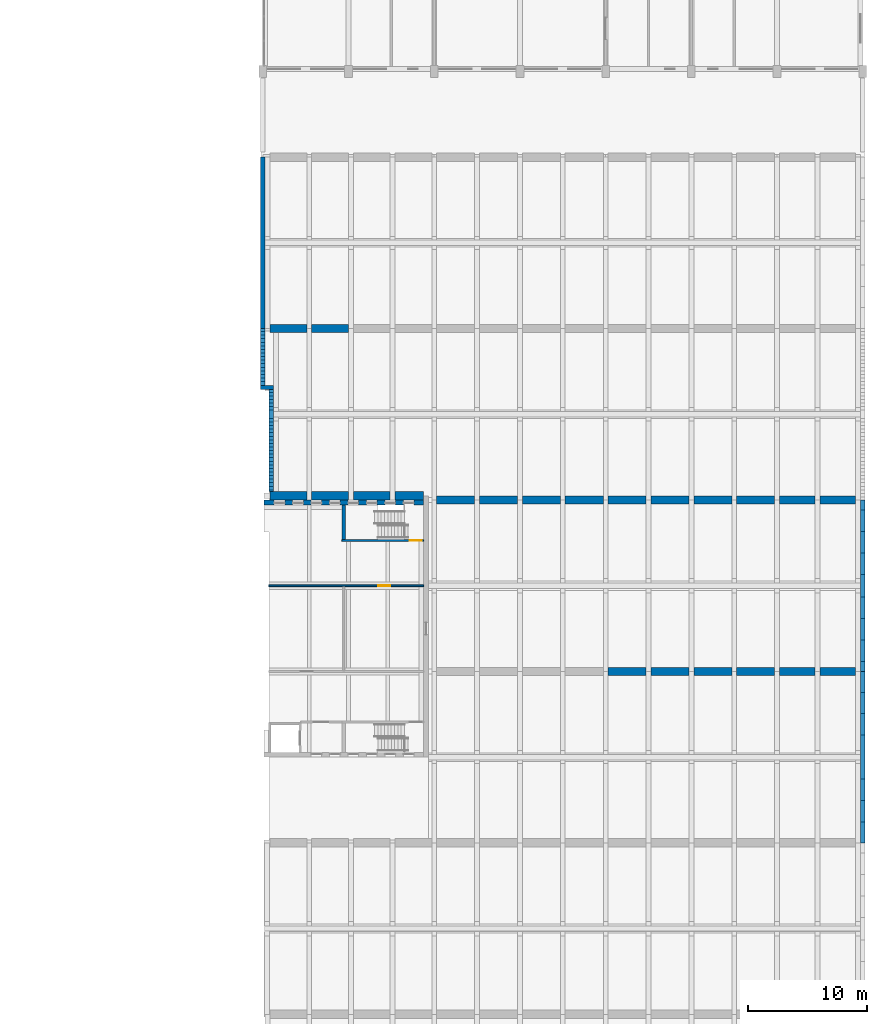
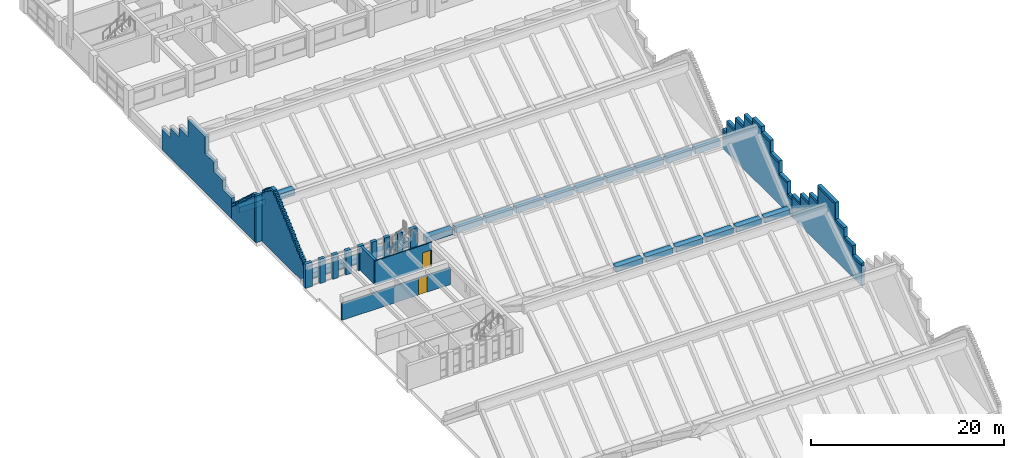
# One storey, part 24 of 31: 44 walls, 2 doors, 2 openings.
"""IFC4 building model written with IfcOpenShell, lengths in metres."""

from ifc_helpers import new_model, si_unit, direction, frame, frame_2d, origin, place, context, subcontext, project, spatial, polyline, rectangle, outline, extrude, material, layer, layer_set, type_object, element, fill, save


model = new_model("IFC4")

# Units and contexts
model_context = context("Model", 3, precision=1e-05, world=origin(), true_north=direction((0.0, 1.0)))
body_context = subcontext(model_context, "Body", "Model", "MODEL_VIEW")
ifc_project = project(units=[si_unit("LENGTHUNIT", "METRE"), si_unit("AREAUNIT", "SQUARE_METRE"), si_unit("VOLUMEUNIT", "CUBIC_METRE"), si_unit("PLANEANGLEUNIT", "RADIAN"), si_unit("MASSUNIT", "GRAM", prefix="KILO")], contexts=[model_context])

# Site, building, storey
site_placement = place(None, origin())
site = spatial("IfcSite", under=ifc_project, at=site_placement, CompositionType="ELEMENT")
building_placement = place(site_placement, origin())
building = spatial("IfcBuilding", under=site, at=building_placement, Name="Vermilion Court Aquatics Centre", CompositionType="ELEMENT")
storey_placement = place(building_placement, frame((0.0, 0.0, 16.5)))
storey = spatial("IfcBuildingStorey", under=building, at=storey_placement, Name="L03", CompositionType="ELEMENT", Elevation=16.5)

# Wall, opening, door
ifc_material_1 = material(Name="Concrete masonry ASTM C90 Type I", Category="masonry")
ifc_layer_1 = layer(ifc_material_1, 0.14990234375)
ifc_layer_set_1 = layer_set([ifc_layer_1], Name="Diving Tower partition 150")
wall_type_1 = type_object("IfcWallType", Name="Diving Tower partition 150", PredefinedType="PARTITIONING", material=ifc_layer_set_1)
wall_1_placement = place(storey_placement, frame((144.5, 50.39990234375, 0.0), z_axis=(0.0, 0.0, 1.0), x_axis=(1.0, 0.0, 0.0)))
wall_1 = element("IfcWall", 1, at=wall_1_placement, inside=storey, type_object=wall_type_1, Name="Diving Tower partition y50.4 L03", PredefinedType="PARTITIONING", context=body_context, shape_type="SweptSolid", body=[
    extrude(rectangle(XDim=13.0, YDim=0.14990234375, at=frame_2d((6.5, 0.0))), origin(), (0.0, 0.0, 1.0), 2.14990234375),
])
opening_1_placement = place(wall_1_placement, frame((9.199951171875, 0.0, 0.0)))
opening_1 = element("IfcOpeningElement", 2, at=opening_1_placement, cuts=wall_1, Name="Opening U03-027", PredefinedType="OPENING", context=body_context, shape_type="SweptSolid", body=[
    extrude(rectangle(XDim=1.0, YDim=2.10009765625, at=frame_2d((0.5, 1.050048828125))), frame((0.0, 0.0849609375, 0.0), z_axis=(0.0, -1.0, 0.0), x_axis=(1.0, 0.0, 0.0)), (0.0, 0.0, 1.0), 0.169921875),
])
ifc_material_2 = material(Name="Timber door leaf", Category="wood")
door_type_1 = type_object("IfcDoorType", Name="Diving Tower room door FD20 1000x2100", OperationType="SINGLE_SWING_LEFT", PredefinedType="DOOR", material=ifc_material_2)
door_1_placement = place(opening_1_placement, frame((1.0, 0.0, 0.0), z_axis=(0.0, 0.0, 1.0), x_axis=(-1.0, 0.0, 0.0)))
door_1 = element("IfcDoor", 3, at=door_1_placement, inside=storey, type_object=door_type_1, Name="Dive Medical Room door L03", OperationType="SINGLE_SWING_LEFT", OverallHeight=2.10009765625, OverallWidth=1.0, PredefinedType="DOOR", context=body_context, shape_type="SweptSolid", body=[
    extrude(rectangle(XDim=1.0, YDim=2.10009765625, at=frame_2d((0.5, 1.050048828125))), frame((0.0, 0.025146484375, 0.0), z_axis=(0.0, -1.0, 0.0), x_axis=(1.0, 0.0, 0.0)), (0.0, 0.0, 1.0), 0.050048828125),
])
fill(opening_1, door_1)

# Walls
ifc_material_3 = material(Name="Brick masonry", Category="masonry")
ifc_layer_2 = layer(ifc_material_3, 0.39990234375)
ifc_layer_set_2 = layer_set([ifc_layer_2], Name="Diving Tower slot pier wall 400")
wall_type_2 = type_object("IfcWallType", Name="Diving Tower slot pier wall 400", PredefinedType="SOLIDWALL", material=ifc_layer_set_2)
wall_2_placement = place(storey_placement, frame((144.110107421875, 57.39990234375, 0.0), z_axis=(0.0, 0.0, 1.0), x_axis=(1.0, 0.0, 0.0)))
element("IfcWall", 4, at=wall_2_placement, inside=storey, type_object=wall_type_2, Name="Diving Tower slot pier N1 L03", PredefinedType="SOLIDWALL", context=body_context, shape_type="SweptSolid", body=[
    extrude(rectangle(XDim=0.83984375, YDim=0.39990234375, at=frame_2d((0.419921875, 0.0))), origin(), (0.0, 0.0, 1.0), 3.050048828125),
])
wall_3_placement = place(storey_placement, frame((145.85009765625, 57.39990234375, 0.0), z_axis=(0.0, 0.0, 1.0), x_axis=(1.0, 0.0, 0.0)))
element("IfcWall", 5, at=wall_3_placement, inside=storey, type_object=wall_type_2, Name="Diving Tower slot pier N2 L03", PredefinedType="SOLIDWALL", context=body_context, shape_type="SweptSolid", body=[
    extrude(rectangle(XDim=0.64990234375, YDim=0.39990234375, at=frame_2d((0.324951171875, 0.0))), origin(), (0.0, 0.0, 1.0), 3.050048828125),
])
for number, where, z_axis, x_axis, name in (
    (6, (147.39990234375, 57.39990234375, 0.0), (0.0, 0.0, 1.0), (1.0, 0.0, 0.0), "Diving Tower slot pier N3 L03"),
    (7, (148.949951171875, 57.39990234375, 0.0), (0.0, 0.0, 1.0), (1.0, 0.0, 0.0), "Diving Tower slot pier N4 L03"),
):
    element("IfcWall", number, at=place(storey_placement, frame(where, z_axis=z_axis, x_axis=x_axis)), inside=storey, type_object=wall_type_2, Name=name, PredefinedType="SOLIDWALL", context=body_context, shape_type="SweptSolid", body=[
        extrude(rectangle(XDim=0.650146484375, YDim=0.39990234375, at=frame_2d((0.3251953125, 0.0))), origin(), (0.0, 0.0, 1.0), 3.050048828125),
    ])
for number, where, z_axis, x_axis, name in (
    (8, (150.5, 57.39990234375, 0.0), (0.0, 0.0, 1.0), (1.0, 0.0, 0.0), "Diving Tower slot pier N5 L03"),
    (9, (152.050048828125, 57.39990234375, 0.0), (0.0, 0.0, 1.0), (1.0, 0.0, 0.0), "Diving Tower slot pier N6 L03"),
    (10, (153.60009765625, 57.39990234375, 0.0), (0.0, 0.0, 1.0), (1.0, 0.0, 0.0), "Diving Tower slot pier N7 L03"),
):
    element("IfcWall", number, at=place(storey_placement, frame(where, z_axis=z_axis, x_axis=x_axis)), inside=storey, type_object=wall_type_2, Name=name, PredefinedType="SOLIDWALL", context=body_context, shape_type="SweptSolid", body=[
        extrude(rectangle(XDim=0.64990234375, YDim=0.39990234375, at=frame_2d((0.324951171875, 0.0))), origin(), (0.0, 0.0, 1.0), 3.050048828125),
    ])
wall_4_placement = place(storey_placement, frame((155.14990234375, 57.39990234375, 0.0), z_axis=(0.0, 0.0, 1.0), x_axis=(1.0, 0.0, 0.0)))
element("IfcWall", 11, at=wall_4_placement, inside=storey, type_object=wall_type_2, Name="Diving Tower slot pier N8 L03", PredefinedType="SOLIDWALL", context=body_context, shape_type="SweptSolid", body=[
    extrude(rectangle(XDim=0.650146484375, YDim=0.39990234375, at=frame_2d((0.3251953125, 0.0))), origin(), (0.0, 0.0, 1.0), 3.050048828125),
])
wall_5_placement = place(storey_placement, frame((156.699951171875, 57.39990234375, 0.0), z_axis=(0.0, 0.0, 1.0), x_axis=(1.0, 0.0, 0.0)))
element("IfcWall", 12, at=wall_5_placement, inside=storey, type_object=wall_type_2, Name="Diving Tower slot pier N9 L03", PredefinedType="SOLIDWALL", context=body_context, shape_type="SweptSolid", body=[
    extrude(rectangle(XDim=0.800048828125, YDim=0.39990234375, at=frame_2d((0.39990234375, 0.0))), origin(), (0.0, 0.0, 1.0), 3.050048828125),
])

# Wall, opening, door
ifc_material_4 = material(Name="Concrete 5000 psi", Category="concrete")
ifc_layer_3 = layer(ifc_material_4, 0.14990234375)
ifc_layer_set_3 = layer_set([ifc_layer_3], Name="Diving Tower stair lane wall 150")
wall_type_3 = type_object("IfcWallType", Name="Diving Tower stair lane wall 150", PredefinedType="SHEAR", material=ifc_layer_set_3)
wall_6_placement = place(storey_placement, frame((150.64990234375, 54.199951171875, 0.0), z_axis=(0.0, 0.0, 1.0), x_axis=(1.0, 0.0, 0.0)))
wall_6 = element("IfcWall", 13, at=wall_6_placement, inside=storey, type_object=wall_type_3, Name="Diving Tower stair 2 lane wall L03", PredefinedType="SHEAR", context=body_context, shape_type="SweptSolid", body=[
    extrude(rectangle(XDim=6.85009765625, YDim=0.14990234375, at=frame_2d((3.425048828125, 0.0))), origin(), (0.0, 0.0, 1.0), 3.050048828125),
])
opening_2_placement = place(wall_6_placement, frame((5.699951171875, 0.0, 0.0)))
opening_2 = element("IfcOpeningElement", 14, at=opening_2_placement, cuts=wall_6, Name="Opening U03-024", PredefinedType="OPENING", context=body_context, shape_type="SweptSolid", body=[
    extrude(rectangle(XDim=1.0, YDim=2.10009765625, at=frame_2d((0.5, 1.050048828125))), frame((0.0, 0.0849609375, 0.0), z_axis=(0.0, -1.0, 0.0), x_axis=(1.0, 0.0, 0.0)), (0.0, 0.0, 1.0), 0.169921875),
])
ifc_material_5 = material(Name="Hollow metal")
door_type_2 = type_object("IfcDoorType", Name="Diving Tower stair door FD90 1000x2100", OperationType="NOTDEFINED", PredefinedType="DOOR", material=ifc_material_5)
door_2_placement = place(opening_2_placement, origin())
door_2 = element("IfcDoor", 15, at=door_2_placement, inside=storey, type_object=door_type_2, Name="Diving Stair 2 door L03", OperationType="SINGLE_SWING_RIGHT", OverallHeight=2.10009765625, OverallWidth=1.0, PredefinedType="DOOR", context=body_context, shape_type="SweptSolid", body=[
    extrude(rectangle(XDim=1.0, YDim=2.10009765625, at=frame_2d((0.5, 1.050048828125))), frame((0.0, 0.02490234375, 0.0), z_axis=(0.0, -1.0, 0.0), x_axis=(1.0, 0.0, 0.0)), (0.0, 0.0, 1.0), 0.050048828125),
])
fill(opening_2, door_2)

# Walls
ifc_material_6 = material(Name="Concrete 8000 psi", Category="concrete")
ifc_layer_4 = layer(ifc_material_6, 0.300048828125)
ifc_layer_set_4 = layer_set([ifc_layer_4], Name="Diving Tower stair wall 300")
wall_type_4 = type_object("IfcWallType", Name="Diving Tower stair wall 300", PredefinedType="SHEAR", material=ifc_layer_set_4)
wall_7_placement = place(storey_placement, frame((150.800048828125, 54.27490234375, 0.0), z_axis=(0.0, 0.0, 1.0), x_axis=(0.0, 1.0, 0.0)))
element("IfcWall", 16, at=wall_7_placement, inside=storey, type_object=wall_type_4, Name="Diving Tower stair 2 west wall L03", PredefinedType="SHEAR", context=body_context, shape_type="SweptSolid", body=[
    extrude(rectangle(XDim=2.925048828125, YDim=0.300048828125, at=frame_2d((1.46240234375, 0.0))), origin(), (0.0, 0.0, 1.0), 3.050048828125),
])
ifc_material_7 = material(Name="Brick masonry", Category="masonry")
ifc_layer_5 = layer(ifc_material_7, 0.39990234375)
ifc_layer_set_5 = layer_set([ifc_layer_5], Name="Podium bell gable wall 400")
wall_type_5 = type_object("IfcWallType", Name="Podium bell gable wall 400", PredefinedType="SOLIDWALL", material=ifc_layer_set_5)
wall_8_placement = place(storey_placement, frame((144.699951171875, 58.300048828125, 0.0), z_axis=(0.0, 0.0, 1.0), x_axis=(0.0, 1.0, 0.0)))
element("IfcWall", 17, at=wall_8_placement, inside=storey, type_object=wall_type_5, Name="Bell gable wall", PredefinedType="SOLIDWALL", context=body_context, shape_type="SweptSolid", body=[
    extrude(outline(polyline([(0.0, 0.0), (8.599853515625, 0.0), (8.60009765625, 6.14990234375), (8.300048828125, 6.14990234375), (8.300048828125, 6.375), (8.0, 6.375), (8.0, 6.675048828125), (7.699951171875, 6.675048828125), (7.699951171875, 6.89990234375), (7.39990234375, 6.89990234375), (7.39990234375, 7.125), (7.10009765625, 7.125), (7.10009765625, 7.35009765625), (6.800048828125, 7.35009765625), (6.800048828125, 7.574951171875), (6.5, 7.574951171875), (6.5, 7.574951171875), (6.199951171875, 7.574951171875), (6.199951171875, 7.35009765625), (5.89990234375, 7.35009765625), (5.89990234375, 7.125), (5.60009765625, 7.125), (5.60009765625, 6.89990234375), (5.300048828125, 6.89990234375), (5.300048828125, 6.675048828125), (5.0, 6.675048828125), (5.0, 6.375), (4.699951171875, 6.375), (4.699951171875, 6.14990234375), (4.39990234375, 6.14990234375), (4.39990234375, 5.925048828125), (4.10009765625, 5.925048828125), (4.10009765625, 5.625), (3.800048828125, 5.625), (3.800048828125, 5.39990234375), (3.5, 5.39990234375), (3.5, 5.10009765625), (3.199951171875, 5.10009765625), (3.199951171875, 4.800048828125), (2.89990234375, 4.800048828125), (2.89990234375, 4.574951171875), (2.60009765625, 4.574951171875), (2.60009765625, 4.27490234375), (2.300048828125, 4.27490234375), (2.300048828125, 3.97509765625), (2.0, 3.97509765625), (2.0, 3.75), (1.699951171875, 3.75), (1.699951171875, 3.449951171875), (1.39990234375, 3.449951171875), (1.39990234375, 3.14990234375), (1.10009765625, 3.14990234375), (1.10009765625, 2.925048828125), (0.800048828125, 2.925048828125), (0.800048828125, 2.625), (0.5, 2.625), (0.5, 2.39990234375), (0.199951171875, 2.39990234375), (0.199951171875, 2.10009765625), (0.0, 2.10009765625), (0.0, 0.0)])), frame((0.0, 0.199951171875, 0.0), z_axis=(0.0, -1.0, 0.0), x_axis=(1.0, 0.0, 0.0)), (0.0, 0.0, 1.0), 0.39990234375),
])
wall_9_placement = place(storey_placement, frame((143.800048828125, 67.050048828125, 0.0), z_axis=(0.0, 0.0, 1.0), x_axis=(1.0, 0.0, 0.0)))
element("IfcWall", 18, at=wall_9_placement, inside=storey, type_object=wall_type_5, Name="Bell gable wall", PredefinedType="SOLIDWALL", context=body_context, shape_type="SweptSolid", body=[
    extrude(rectangle(XDim=1.099853515625, YDim=0.300048828125, at=frame_2d((0.5498046875, 0.0))), origin(), (0.0, 0.0, 1.0), 5.925048828125),
])
wall_10_placement = place(storey_placement, frame((144.0, 67.199951171875, 0.0), z_axis=(0.0, 0.0, 1.0), x_axis=(0.0, 1.0, 0.0)))
element("IfcWall", 19, at=wall_10_placement, inside=storey, type_object=wall_type_5, Name="Bell gable wall", PredefinedType="SOLIDWALL", context=body_context, shape_type="SweptSolid", body=[
    extrude(outline(polyline([(0.0, 0.0), (4.800048828125, 0.0), (4.800048828125, 1.64990234375), (4.5, 1.64990234375), (4.5, 1.875), (4.199951171875, 1.875), (4.199951171875, 2.10009765625), (3.89990234375, 2.10009765625), (3.89990234375, 2.39990234375), (3.60009765625, 2.39990234375), (3.60009765625, 2.625), (3.300048828125, 2.625), (3.300048828125, 2.925048828125), (3.0, 2.925048828125), (3.0, 3.14990234375), (2.699951171875, 3.14990234375), (2.699951171875, 3.449951171875), (2.39990234375, 3.449951171875), (2.39990234375, 3.75), (2.10009765625, 3.75), (2.10009765625, 3.97509765625), (1.800048828125, 3.97509765625), (1.800048828125, 4.27490234375), (1.5, 4.27490234375), (1.5, 4.574951171875), (1.199951171875, 4.574951171875), (1.199951171875, 4.800048828125), (0.89990234375, 4.800048828125), (0.89990234375, 5.10009765625), (0.60009765625, 5.10009765625), (0.60009765625, 5.39990234375), (0.300048828125, 5.39990234375), (0.300048828125, 5.625), (0.0, 5.625), (0.0, 0.0)])), frame((0.0, 0.199951171875, 0.0), z_axis=(0.0, -1.0, 0.0), x_axis=(1.0, 0.0, 0.0)), (0.0, 0.0, 1.0), 0.39990234375),
])
ifc_material_8 = material(Name="Brick masonry", Category="masonry")
ifc_layer_6 = layer(ifc_material_8, 0.39990234375)
ifc_layer_set_6 = layer_set([ifc_layer_6], Name="Podium crow-stepped gable wall 400")
wall_type_6 = type_object("IfcWallType", Name="Podium crow-stepped gable wall 400", PredefinedType="SOLIDWALL", material=ifc_layer_set_6)
wall_11_placement = place(storey_placement, frame((194.39990234375, 43.199951171875, 0.0), z_axis=(0.0, 0.0, 1.0), x_axis=(0.0, 1.0, 0.0)))
element("IfcWall", 20, at=wall_11_placement, inside=storey, type_object=wall_type_6, Name="Crow-stepped gable wall", PredefinedType="SOLIDWALL", context=body_context, shape_type="SweptSolid", body=[
    extrude(outline(polyline([(0.0, 0.0), (14.400146484375, 0.0), (14.39990234375, 2.140625), (13.5, 2.140625), (13.5, 3.651123046875), (11.699951171875, 3.651123046875), (11.699951171875, 5.16162109375), (9.89990234375, 5.16162109375), (9.89990234375, 6.671875), (8.10009765625, 6.671875), (8.10009765625, 7.32861328125), (7.199951171875, 7.32861328125), (7.199951171875, 7.32861328125), (6.300048828125, 7.32861328125), (6.300048828125, 6.671875), (4.5, 6.671875), (4.5, 5.16162109375), (2.699951171875, 5.16162109375), (2.699951171875, 3.651123046875), (0.89990234375, 3.651123046875), (0.89990234375, 2.140625), (0.0, 2.140625), (0.0, 0.0)])), frame((0.0, 0.199951171875, 0.0), z_axis=(0.0, -1.0, 0.0), x_axis=(1.0, 0.0, 0.0)), (0.0, 0.0, 1.0), 0.39990234375),
])
ifc_material_9 = material(Name="Brick masonry", Category="masonry")
ifc_layer_7 = layer(ifc_material_9, 0.39990234375)
ifc_layer_set_7 = layer_set([ifc_layer_7], Name="Podium raised-centre gable wall 400")
wall_type_7 = type_object("IfcWallType", Name="Podium raised-centre gable wall 400", PredefinedType="SOLIDWALL", material=ifc_layer_set_7)
for number, where, z_axis, x_axis, name in (
    (21, (194.39990234375, 28.800048828125, 0.0), (0.0, 0.0, 1.0), (0.0, 1.0, 0.0), "Raised-centre gable wall"),
    (22, (144.0, 72.0, 0.0), (0.0, 0.0, 1.0), (0.0, 1.0, 0.0), "Raised-centre gable wall"),
):
    element("IfcWall", number, at=place(storey_placement, frame(where, z_axis=z_axis, x_axis=x_axis)), inside=storey, type_object=wall_type_7, Name=name, PredefinedType="SOLIDWALL", context=body_context, shape_type="SweptSolid", body=[
        extrude(outline(polyline([(0.0, 0.0), (14.39990234375, 0.0), (14.39990234375, 2.56982421875), (12.60009765625, 2.56982421875), (12.60009765625, 3.73876953125), (10.800048828125, 3.73876953125), (10.800048828125, 4.90771484375), (9.0, 4.90771484375), (9.0, 7.01708984375), (7.199951171875, 7.01708984375), (7.199951171875, 7.01708984375), (5.39990234375, 7.01708984375), (5.39990234375, 4.90771484375), (3.60009765625, 4.90771484375), (3.60009765625, 3.73876953125), (1.800048828125, 3.73876953125), (1.800048828125, 2.56982421875), (0.0, 2.56982421875), (0.0, 0.0)])), frame((0.0, 0.199951171875, 0.0), z_axis=(0.0, -1.0, 0.0), x_axis=(1.0, 0.0, 0.0)), (0.0, 0.0, 1.0), 0.39990234375),
    ])
ifc_material_10 = material(Name="Terracotta cladding", Category="masonry")
ifc_layer_8 = layer(ifc_material_10, 0.39990234375)
ifc_layer_set_8 = layer_set([ifc_layer_8], Name="Podium terracotta gable coping 400")
wall_type_8 = type_object("IfcWallType", Name="Podium terracotta gable coping 400", PredefinedType="PARAPET", material=ifc_layer_set_8)
wall_12_placement = place(storey_placement, frame((194.39990234375, 28.800048828125, 0.0), z_axis=(0.0, 0.0, 1.0), x_axis=(0.0, 1.0, 0.0)))
element("IfcWall", 23, at=wall_12_placement, inside=storey, type_object=wall_type_8, Name="Terracotta gable coping", PredefinedType="PARAPET", context=body_context, shape_type="SweptSolid", body=[
    extrude(outline(polyline([(0.0, 2.56982421875), (1.800048828125, 2.56982421875), (1.800048828125, 3.73876953125), (3.60009765625, 3.73876953125), (3.60009765625, 4.90771484375), (5.39990234375, 4.90771484375), (5.39990234375, 7.01708984375), (7.199951171875, 7.01708984375), (7.199951171875, 7.01708984375), (9.0, 7.01708984375), (9.0, 4.90771484375), (10.800048828125, 4.90771484375), (10.800048828125, 3.73876953125), (12.60009765625, 3.73876953125), (12.60009765625, 2.56982421875), (14.39990234375, 2.56982421875), (14.39990234375, 2.869873046875), (12.64990234375, 2.869873046875), (12.64990234375, 4.038818359375), (10.85009765625, 4.038818359375), (10.85009765625, 5.207763671875), (9.050048828125, 5.207763671875), (9.050048828125, 7.317138671875), (7.14990234375, 7.317138671875), (7.14990234375, 7.317138671875), (5.35009765625, 7.317138671875), (5.35009765625, 5.207763671875), (3.550048828125, 5.207763671875), (3.550048828125, 4.038818359375), (1.75, 4.038818359375), (1.75, 2.869873046875), (0.0, 2.869873046875), (0.0, 2.56982421875)])), frame((0.0, 0.199951171875, 0.0), z_axis=(0.0, -1.0, 0.0), x_axis=(1.0, 0.0, 0.0)), (0.0, 0.0, 1.0), 0.39990234375),
])
wall_13_placement = place(storey_placement, frame((194.39990234375, 43.199951171875, 0.0), z_axis=(0.0, 0.0, 1.0), x_axis=(0.0, 1.0, 0.0)))
element("IfcWall", 24, at=wall_13_placement, inside=storey, type_object=wall_type_8, Name="Terracotta gable coping", PredefinedType="PARAPET", context=body_context, shape_type="SweptSolid", body=[
    extrude(outline(polyline([(0.0, 2.140625), (0.89990234375, 2.140625), (0.89990234375, 3.651123046875), (2.699951171875, 3.651123046875), (2.699951171875, 5.16162109375), (4.5, 5.16162109375), (4.5, 6.671875), (6.300048828125, 6.671875), (6.300048828125, 7.32861328125), (7.199951171875, 7.32861328125), (7.199951171875, 7.32861328125), (8.10009765625, 7.32861328125), (8.10009765625, 6.671875), (9.89990234375, 6.671875), (9.89990234375, 5.16162109375), (11.699951171875, 5.16162109375), (11.699951171875, 3.651123046875), (13.5, 3.651123046875), (13.5, 2.140625), (14.39990234375, 2.140625), (14.39990234375, 2.440673828125), (13.550048828125, 2.440673828125), (13.550048828125, 3.951171875), (11.75, 3.951171875), (11.75, 5.46142578125), (9.949951171875, 5.46142578125), (9.949951171875, 6.971923828125), (8.14990234375, 6.971923828125), (8.14990234375, 7.628662109375), (7.14990234375, 7.628662109375), (7.14990234375, 7.628662109375), (6.25, 7.628662109375), (6.25, 6.971923828125), (4.449951171875, 6.971923828125), (4.449951171875, 5.46142578125), (2.64990234375, 5.46142578125), (2.64990234375, 3.951171875), (0.85009765625, 3.951171875), (0.85009765625, 2.440673828125), (0.0, 2.440673828125), (0.0, 2.140625)])), frame((0.0, 0.199951171875, 0.0), z_axis=(0.0, -1.0, 0.0), x_axis=(1.0, 0.0, 0.0)), (0.0, 0.0, 1.0), 0.39990234375),
])
wall_14_placement = place(storey_placement, frame((144.699951171875, 58.300048828125, 0.0), z_axis=(0.0, 0.0, 1.0), x_axis=(0.0, 1.0, 0.0)))
element("IfcWall", 25, at=wall_14_placement, inside=storey, type_object=wall_type_8, Name="Terracotta gable coping", PredefinedType="PARAPET", context=body_context, shape_type="SweptSolid", body=[
    extrude(outline(polyline([(0.0, 2.10009765625), (0.199951171875, 2.10009765625), (0.199951171875, 2.39990234375), (0.5, 2.39990234375), (0.5, 2.625), (0.800048828125, 2.625), (0.800048828125, 2.925048828125), (1.10009765625, 2.925048828125), (1.10009765625, 3.14990234375), (1.39990234375, 3.14990234375), (1.39990234375, 3.449951171875), (1.699951171875, 3.449951171875), (1.699951171875, 3.75), (2.0, 3.75), (2.0, 3.97509765625), (2.300048828125, 3.97509765625), (2.300048828125, 4.27490234375), (2.60009765625, 4.27490234375), (2.60009765625, 4.574951171875), (2.89990234375, 4.574951171875), (2.89990234375, 4.800048828125), (3.199951171875, 4.800048828125), (3.199951171875, 5.10009765625), (3.5, 5.10009765625), (3.5, 5.39990234375), (3.800048828125, 5.39990234375), (3.800048828125, 5.625), (4.10009765625, 5.625), (4.10009765625, 5.925048828125), (4.39990234375, 5.925048828125), (4.39990234375, 6.14990234375), (4.699951171875, 6.14990234375), (4.699951171875, 6.375), (5.0, 6.375), (5.0, 6.675048828125), (5.300048828125, 6.675048828125), (5.300048828125, 6.89990234375), (5.60009765625, 6.89990234375), (5.60009765625, 7.125), (5.89990234375, 7.125), (5.89990234375, 7.35009765625), (6.199951171875, 7.35009765625), (6.199951171875, 7.574951171875), (6.5, 7.574951171875), (6.5, 7.574951171875), (6.800048828125, 7.574951171875), (6.800048828125, 7.35009765625), (7.10009765625, 7.35009765625), (7.10009765625, 7.125), (7.39990234375, 7.125), (7.39990234375, 6.89990234375), (7.699951171875, 6.89990234375), (7.699951171875, 6.675048828125), (8.0, 6.675048828125), (8.0, 6.375), (8.300048828125, 6.375), (8.300048828125, 6.14990234375), (8.60009765625, 6.14990234375), (8.60009765625, 6.449951171875), (8.35009765625, 6.449951171875), (8.35009765625, 6.675048828125), (8.050048828125, 6.675048828125), (8.050048828125, 6.97509765625), (7.75, 6.97509765625), (7.75, 7.199951171875), (7.449951171875, 7.199951171875), (7.449951171875, 7.425048828125), (7.14990234375, 7.425048828125), (7.14990234375, 7.64990234375), (6.85009765625, 7.64990234375), (6.85009765625, 7.875), (6.449951171875, 7.875), (6.449951171875, 7.875), (6.14990234375, 7.875), (6.14990234375, 7.64990234375), (5.85009765625, 7.64990234375), (5.85009765625, 7.425048828125), (5.550048828125, 7.425048828125), (5.550048828125, 7.199951171875), (5.25, 7.199951171875), (5.25, 6.97509765625), (4.949951171875, 6.97509765625), (4.949951171875, 6.675048828125), (4.64990234375, 6.675048828125), (4.64990234375, 6.449951171875), (4.35009765625, 6.449951171875), (4.35009765625, 6.22509765625), (4.050048828125, 6.22509765625), (4.050048828125, 5.925048828125), (3.75, 5.925048828125), (3.75, 5.699951171875), (3.449951171875, 5.699951171875), (3.449951171875, 5.39990234375), (3.14990234375, 5.39990234375), (3.14990234375, 5.10009765625), (2.85009765625, 5.10009765625), (2.85009765625, 4.875), (2.550048828125, 4.875), (2.550048828125, 4.574951171875), (2.25, 4.574951171875), (2.25, 4.27490234375), (1.949951171875, 4.27490234375), (1.949951171875, 4.050048828125), (1.64990234375, 4.050048828125), (1.64990234375, 3.75), (1.35009765625, 3.75), (1.35009765625, 3.449951171875), (1.050048828125, 3.449951171875), (1.050048828125, 3.22509765625), (0.75, 3.22509765625), (0.75, 2.925048828125), (0.449951171875, 2.925048828125), (0.449951171875, 2.699951171875), (0.14990234375, 2.699951171875), (0.14990234375, 2.39990234375), (0.0, 2.39990234375), (0.0, 2.10009765625)])), frame((0.0, 0.199951171875, 0.0), z_axis=(0.0, -1.0, 0.0), x_axis=(1.0, 0.0, 0.0)), (0.0, 0.0, 1.0), 0.39990234375),
])
wall_15_placement = place(storey_placement, frame((144.0, 67.199951171875, 0.0), z_axis=(0.0, 0.0, 1.0), x_axis=(0.0, 1.0, 0.0)))
element("IfcWall", 26, at=wall_15_placement, inside=storey, type_object=wall_type_8, Name="Terracotta gable coping", PredefinedType="PARAPET", context=body_context, shape_type="SweptSolid", body=[
    extrude(outline(polyline([(0.0, 5.625), (0.300048828125, 5.625), (0.300048828125, 5.39990234375), (0.60009765625, 5.39990234375), (0.60009765625, 5.10009765625), (0.89990234375, 5.10009765625), (0.89990234375, 4.800048828125), (1.199951171875, 4.800048828125), (1.199951171875, 4.574951171875), (1.5, 4.574951171875), (1.5, 4.27490234375), (1.800048828125, 4.27490234375), (1.800048828125, 3.97509765625), (2.10009765625, 3.97509765625), (2.10009765625, 3.75), (2.39990234375, 3.75), (2.39990234375, 3.449951171875), (2.699951171875, 3.449951171875), (2.699951171875, 3.14990234375), (3.0, 3.14990234375), (3.0, 2.925048828125), (3.300048828125, 2.925048828125), (3.300048828125, 2.625), (3.60009765625, 2.625), (3.60009765625, 2.39990234375), (3.89990234375, 2.39990234375), (3.89990234375, 2.10009765625), (4.199951171875, 2.10009765625), (4.199951171875, 1.875), (4.5, 1.875), (4.5, 1.64990234375), (4.800048828125, 1.64990234375), (4.800048828125, 1.949951171875), (4.550048828125, 1.949951171875), (4.550048828125, 2.175048828125), (4.25, 2.175048828125), (4.25, 2.39990234375), (3.949951171875, 2.39990234375), (3.949951171875, 2.699951171875), (3.64990234375, 2.699951171875), (3.64990234375, 2.925048828125), (3.35009765625, 2.925048828125), (3.35009765625, 3.22509765625), (3.050048828125, 3.22509765625), (3.050048828125, 3.449951171875), (2.75, 3.449951171875), (2.75, 3.75), (2.449951171875, 3.75), (2.449951171875, 4.050048828125), (2.14990234375, 4.050048828125), (2.14990234375, 4.27490234375), (1.85009765625, 4.27490234375), (1.85009765625, 4.574951171875), (1.550048828125, 4.574951171875), (1.550048828125, 4.875), (1.25, 4.875), (1.25, 5.10009765625), (0.949951171875, 5.10009765625), (0.949951171875, 5.39990234375), (0.64990234375, 5.39990234375), (0.64990234375, 5.699951171875), (0.35009765625, 5.699951171875), (0.35009765625, 5.925048828125), (0.0, 5.925048828125), (0.0, 5.625)])), frame((0.0, 0.199951171875, 0.0), z_axis=(0.0, -1.0, 0.0), x_axis=(1.0, 0.0, 0.0)), (0.0, 0.0, 1.0), 0.39990234375),
])
ifc_material_11 = material(Name="Brick masonry", Category="masonry")
ifc_layer_9 = layer(ifc_material_11, 0.699951171875)
ifc_layer_set_9 = layer_set([ifc_layer_9], Name="Podium valley upstand wall 700")
wall_type_9 = type_object("IfcWallType", Name="Podium valley upstand wall 700", PredefinedType="SOLIDWALL", material=ifc_layer_set_9)
for number, where, z_axis, x_axis, name in (
    (27, (173.0, 43.199951171875, 0.60009765625), (0.0, 0.0, 1.0), (1.0, 0.0, 0.0), "Valley upstand wall"),
    (28, (176.60009765625, 43.199951171875, 0.60009765625), (0.0, 0.0, 1.0), (1.0, 0.0, 0.0), "Valley upstand wall"),
    (29, (180.199951171875, 43.199951171875, 0.60009765625), (0.0, 0.0, 1.0), (1.0, 0.0, 0.0), "Valley upstand wall"),
    (30, (183.800048828125, 43.199951171875, 0.60009765625), (0.0, 0.0, 1.0), (1.0, 0.0, 0.0), "Valley upstand wall"),
):
    element("IfcWall", number, at=place(storey_placement, frame(where, z_axis=z_axis, x_axis=x_axis)), inside=storey, type_object=wall_type_9, Name=name, PredefinedType="SOLIDWALL", context=body_context, shape_type="SweptSolid", body=[
        extrude(rectangle(XDim=3.199951171875, YDim=0.699951171875, at=frame_2d((1.60009765625, 0.0))), origin(), (0.0, 0.0, 1.0), 0.72998046875),
    ])
for number, where, z_axis, x_axis, name in (
    (31, (187.39990234375, 43.199951171875, 0.60009765625), (0.0, 0.0, 1.0), (1.0, 0.0, 0.0), "Valley upstand wall"),
    (32, (190.800048828125, 43.199951171875, 0.60009765625), (0.0, 0.0, 1.0), (1.0, 0.0, 0.0), "Valley upstand wall"),
):
    element("IfcWall", number, at=place(storey_placement, frame(where, z_axis=z_axis, x_axis=x_axis)), inside=storey, type_object=wall_type_9, Name=name, PredefinedType="SOLIDWALL", context=body_context, shape_type="SweptSolid", body=[
        extrude(rectangle(XDim=3.0, YDim=0.699951171875, at=frame_2d((1.5, 0.0))), origin(), (0.0, 0.0, 1.0), 0.72998046875),
    ])
for number, where, z_axis, x_axis, name in (
    (33, (144.60009765625, 57.949951171875, 0.60009765625), (0.0, 0.0, 1.0), (1.0, 0.0, 0.0), "Valley upstand wall"),
    (34, (148.10009765625, 57.949951171875, 0.60009765625), (0.0, 0.0, 1.0), (1.0, 0.0, 0.0), "Valley upstand wall"),
    (35, (151.60009765625, 57.949951171875, 0.60009765625), (0.0, 0.0, 1.0), (1.0, 0.0, 0.0), "Valley upstand wall"),
):
    element("IfcWall", number, at=place(storey_placement, frame(where, z_axis=z_axis, x_axis=x_axis)), inside=storey, type_object=wall_type_9, Name=name, PredefinedType="SOLIDWALL", context=body_context, shape_type="SweptSolid", body=[
        extrude(rectangle(XDim=3.099853515625, YDim=0.699951171875, at=frame_2d((1.5498046875, 0.0))), origin(), (0.0, 0.0, 1.0), 0.7392578125),
    ])
wall_16_placement = place(storey_placement, frame((155.10009765625, 57.949951171875, 0.60009765625), z_axis=(0.0, 0.0, 1.0), x_axis=(1.0, 0.0, 0.0)))
element("IfcWall", 36, at=wall_16_placement, inside=storey, type_object=wall_type_9, Name="Valley upstand wall", PredefinedType="SOLIDWALL", context=body_context, shape_type="SweptSolid", body=[
    extrude(rectangle(XDim=2.39990234375, YDim=0.699951171875, at=frame_2d((1.199951171875, 0.0))), origin(), (0.0, 0.0, 1.0), 0.7392578125),
])
for number, where, z_axis, x_axis, name in (
    (37, (158.60009765625, 57.60009765625, 0.60009765625), (0.0, 0.0, 1.0), (1.0, 0.0, 0.0), "Valley upstand wall"),
    (38, (162.199951171875, 57.60009765625, 0.60009765625), (0.0, 0.0, 1.0), (1.0, 0.0, 0.0), "Valley upstand wall"),
    (39, (165.800048828125, 57.60009765625, 0.60009765625), (0.0, 0.0, 1.0), (1.0, 0.0, 0.0), "Valley upstand wall"),
):
    element("IfcWall", number, at=place(storey_placement, frame(where, z_axis=z_axis, x_axis=x_axis)), inside=storey, type_object=wall_type_9, Name=name, PredefinedType="SOLIDWALL", context=body_context, shape_type="SweptSolid", body=[
        extrude(rectangle(XDim=3.199951171875, YDim=0.699951171875, at=frame_2d((1.60009765625, 0.0))), origin(), (0.0, 0.0, 1.0), 0.7392578125),
    ])
wall_17_placement = place(storey_placement, frame((169.39990234375, 57.60009765625, 0.60009765625), z_axis=(0.0, 0.0, 1.0), x_axis=(1.0, 0.0, 0.0)))
element("IfcWall", 40, at=wall_17_placement, inside=storey, type_object=wall_type_9, Name="Valley upstand wall", PredefinedType="SOLIDWALL", context=body_context, shape_type="SweptSolid", body=[
    extrude(rectangle(XDim=3.2001953125, YDim=0.699951171875, at=frame_2d((1.60009765625, 0.0))), origin(), (0.0, 0.0, 1.0), 0.7392578125),
])
for number, where, z_axis, x_axis, name in (
    (41, (173.0, 57.60009765625, 0.60009765625), (0.0, 0.0, 1.0), (1.0, 0.0, 0.0), "Valley upstand wall"),
    (42, (176.60009765625, 57.60009765625, 0.60009765625), (0.0, 0.0, 1.0), (1.0, 0.0, 0.0), "Valley upstand wall"),
    (43, (180.199951171875, 57.60009765625, 0.60009765625), (0.0, 0.0, 1.0), (1.0, 0.0, 0.0), "Valley upstand wall"),
    (44, (183.800048828125, 57.60009765625, 0.60009765625), (0.0, 0.0, 1.0), (1.0, 0.0, 0.0), "Valley upstand wall"),
):
    element("IfcWall", number, at=place(storey_placement, frame(where, z_axis=z_axis, x_axis=x_axis)), inside=storey, type_object=wall_type_9, Name=name, PredefinedType="SOLIDWALL", context=body_context, shape_type="SweptSolid", body=[
        extrude(rectangle(XDim=3.199951171875, YDim=0.699951171875, at=frame_2d((1.60009765625, 0.0))), origin(), (0.0, 0.0, 1.0), 0.7392578125),
    ])
for number, where, z_axis, x_axis, name in (
    (45, (187.39990234375, 57.60009765625, 0.60009765625), (0.0, 0.0, 1.0), (1.0, 0.0, 0.0), "Valley upstand wall"),
    (46, (190.800048828125, 57.60009765625, 0.60009765625), (0.0, 0.0, 1.0), (1.0, 0.0, 0.0), "Valley upstand wall"),
):
    element("IfcWall", number, at=place(storey_placement, frame(where, z_axis=z_axis, x_axis=x_axis)), inside=storey, type_object=wall_type_9, Name=name, PredefinedType="SOLIDWALL", context=body_context, shape_type="SweptSolid", body=[
        extrude(rectangle(XDim=3.0, YDim=0.699951171875, at=frame_2d((1.5, 0.0))), origin(), (0.0, 0.0, 1.0), 0.7392578125),
    ])
for number, where, z_axis, x_axis, name in (
    (47, (144.60009765625, 72.0, 0.60009765625), (0.0, 0.0, 1.0), (1.0, 0.0, 0.0), "Valley upstand wall"),
    (48, (148.10009765625, 72.0, 0.60009765625), (0.0, 0.0, 1.0), (1.0, 0.0, 0.0), "Valley upstand wall"),
):
    element("IfcWall", number, at=place(storey_placement, frame(where, z_axis=z_axis, x_axis=x_axis)), inside=storey, type_object=wall_type_9, Name=name, PredefinedType="SOLIDWALL", context=body_context, shape_type="SweptSolid", body=[
        extrude(rectangle(XDim=3.099853515625, YDim=0.699951171875, at=frame_2d((1.5498046875, 0.0))), origin(), (0.0, 0.0, 1.0), 0.72998046875),
    ])

save(model, "model.ifc")
